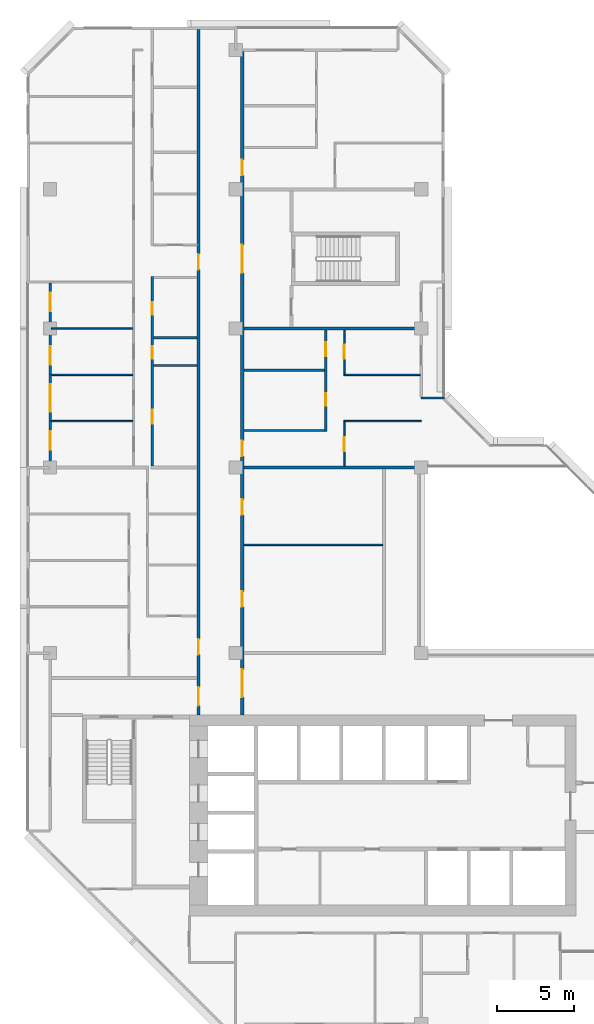
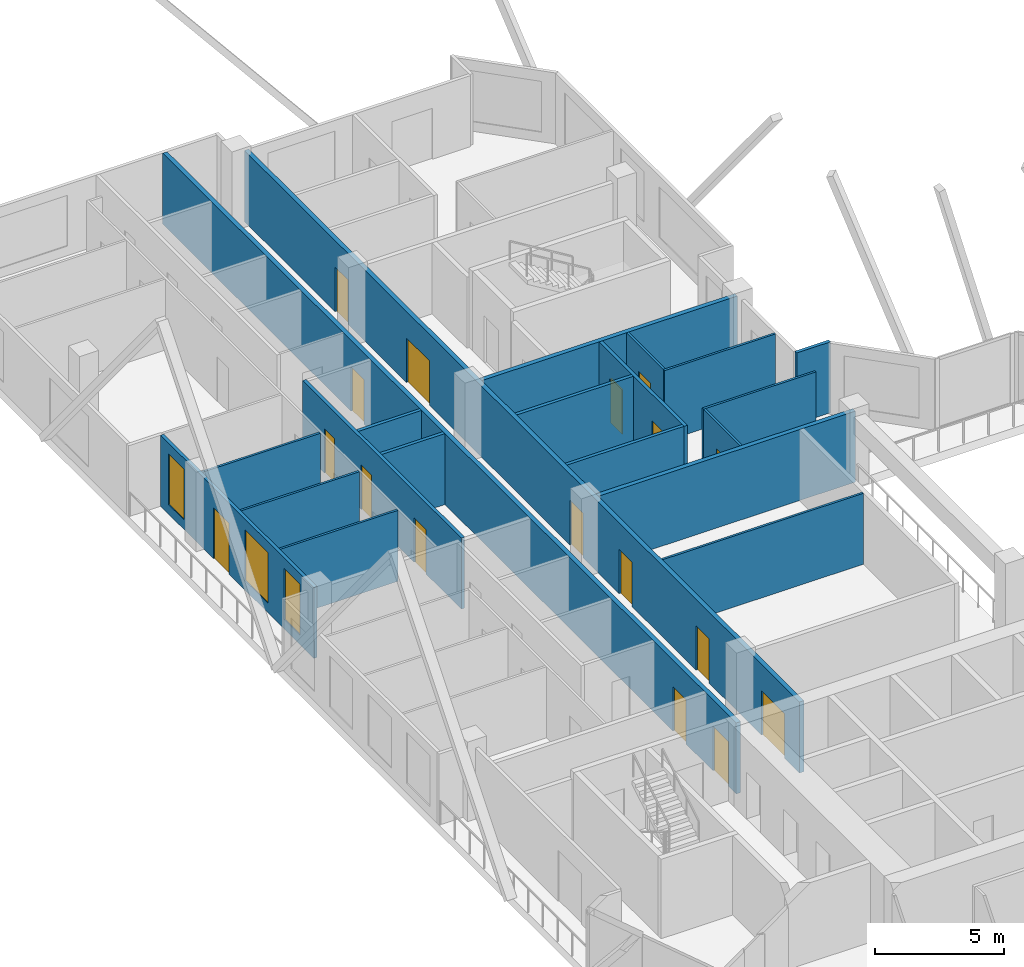
# One storey, part 9 of 15: 20 walls, 17 doors, 3 windows, 20 openings.
"""IFC4 building model written with IfcOpenShell, lengths in metres."""

from ifc_helpers import new_model, si_unit, direction, frame, frame_2d, origin, place, context, subcontext, project, spatial, rectangle, extrude, material, layer, layer_set, type_object, element, fill, save


model = new_model("IFC4")

# Units and contexts
model_context = context("Model", 3, precision=1e-05, world=origin(), true_north=direction((0.0, 1.0)))
body_context = subcontext(model_context, "Body", "Model", "MODEL_VIEW")
ifc_project = project(units=[si_unit("LENGTHUNIT", "METRE"), si_unit("AREAUNIT", "SQUARE_METRE"), si_unit("VOLUMEUNIT", "CUBIC_METRE"), si_unit("PLANEANGLEUNIT", "RADIAN"), si_unit("MASSUNIT", "GRAM", prefix="KILO")], contexts=[model_context])

# Site, building, storey
site_placement = place(None, origin())
site = spatial("IfcSite", under=ifc_project, at=site_placement, CompositionType="ELEMENT")
building_placement = place(site_placement, origin())
building = spatial("IfcBuilding", under=site, at=building_placement, Name="Chenar Terraces", CompositionType="ELEMENT")
storey_placement = place(building_placement, frame((0.0, 0.0, 245.39990234375)))
storey = spatial("IfcBuildingStorey", under=building, at=storey_placement, Name="L58", CompositionType="ELEMENT", Elevation=245.39990234375)

# Wall, openings, doors
ifc_material_1 = material(Name="Gypsum board on steel studs with fire boards", Category="steel")
ifc_layer_1 = layer(ifc_material_1, 0.199951171875)
ifc_layer_set_1 = layer_set([ifc_layer_1], Name="Gypsum board on steel studs with fire boards")
wall_type_1 = type_object("IfcWallType", Name="Corridor wall 200", PredefinedType="PARTITIONING", material=ifc_layer_set_1)
wall_1_placement = place(storey_placement, frame((9.60009765625, 20.0, 0.0), z_axis=(0.0, 0.0, 1.0), x_axis=(0.0, 1.0, 0.0)))
wall_1 = element("IfcWall", 1, at=wall_1_placement, inside=storey, type_object=wall_type_1, Name="Partition L58-033", PredefinedType="PARTITIONING", context=body_context, shape_type="SweptSolid", body=[
    extrude(rectangle(XDim=44.35009765625, YDim=0.199951171875, at=frame_2d((22.175048828125, 0.0))), origin(), (0.0, 0.0, 1.0), 3.35009765625),
])
opening_1_placement = place(wall_1_placement, frame((28.800048828125, 0.0, 0.0)))
opening_1 = element("IfcOpeningElement", 2, at=opening_1_placement, cuts=wall_1, Name="Opening DL58-33", PredefinedType="OPENING", context=body_context, shape_type="SweptSolid", body=[
    extrude(rectangle(XDim=1.0, YDim=2.10009765625, at=frame_2d((0.5, 1.050048828125))), frame((0.0, 0.10986328125, 0.0), z_axis=(0.0, -1.0, 0.0), x_axis=(1.0, 0.0, 0.0)), (0.0, 0.0, 1.0), 0.219970703125),
])
opening_2_placement = place(wall_1_placement, frame((0.60009765625, 0.0, 0.0)))
opening_2 = element("IfcOpeningElement", 3, at=opening_2_placement, cuts=wall_1, Name="Opening DL58-43", PredefinedType="OPENING", context=body_context, shape_type="SweptSolid", body=[
    extrude(rectangle(XDim=1.199951171875, YDim=2.10009765625, at=frame_2d((0.60009765625, 1.050048828125))), frame((0.0, 0.10986328125, 0.0), z_axis=(0.0, -1.0, 0.0), x_axis=(1.0, 0.0, 0.0)), (0.0, 0.0, 1.0), 0.219970703125),
])
opening_3_placement = place(wall_1_placement, frame((3.89990234375, 0.0, 0.0)))
opening_3 = element("IfcOpeningElement", 4, at=opening_3_placement, cuts=wall_1, Name="Opening DL58-65", PredefinedType="OPENING", context=body_context, shape_type="SweptSolid", body=[
    extrude(rectangle(XDim=1.0, YDim=2.10009765625, at=frame_2d((0.5, 1.050048828125))), frame((0.0, 0.10986328125, 0.0), z_axis=(0.0, -1.0, 0.0), x_axis=(1.0, 0.0, 0.0)), (0.0, 0.0, 1.0), 0.219970703125),
])
ifc_material_2 = material(Name="Steel-framed fire-resisting door leaf", Category="steel")
door_type_1 = type_object("IfcDoorType", Name="Fire door FD30S 1000 x 2100", OperationType="SINGLE_SWING_LEFT", PredefinedType="DOOR", material=ifc_material_2)
door_1_placement = place(opening_1_placement, origin())
door_1 = element("IfcDoor", 5, at=door_1_placement, inside=storey, type_object=door_type_1, Name="Door DL58-33", OperationType="SINGLE_SWING_LEFT", OverallHeight=2.10009765625, OverallWidth=1.0, PredefinedType="DOOR", context=body_context, shape_type="SweptSolid", body=[
    extrude(rectangle(XDim=1.0, YDim=2.10009765625, at=frame_2d((0.5, 1.050048828125))), frame((0.0, 0.02490234375, 0.0), z_axis=(0.0, -1.0, 0.0), x_axis=(1.0, 0.0, 0.0)), (0.0, 0.0, 1.0), 0.050048828125),
])
fill(opening_1, door_1)
door_2_placement = place(opening_3_placement, origin())
door_2 = element("IfcDoor", 6, at=door_2_placement, inside=storey, type_object=door_type_1, Name="Door DL58-65", OperationType="SINGLE_SWING_LEFT", OverallHeight=2.10009765625, OverallWidth=1.0, PredefinedType="DOOR", context=body_context, shape_type="SweptSolid", body=[
    extrude(rectangle(XDim=1.0, YDim=2.10009765625, at=frame_2d((0.5, 1.050048828125))), frame((0.0, 0.02490234375, 0.0), z_axis=(0.0, -1.0, 0.0), x_axis=(1.0, 0.0, 0.0)), (0.0, 0.0, 1.0), 0.050048828125),
])
fill(opening_3, door_2)
ifc_material_3 = material(Name="Steel-framed fire-resisting door leaf", Category="steel")
door_type_2 = type_object("IfcDoorType", Name="Fire door FD30S 1200 x 2100", OperationType="SINGLE_SWING_LEFT", PredefinedType="DOOR", material=ifc_material_3)
door_3_placement = place(opening_2_placement, origin())
door_3 = element("IfcDoor", 7, at=door_3_placement, inside=storey, type_object=door_type_2, Name="Door DL58-43", OperationType="SINGLE_SWING_RIGHT", OverallHeight=2.10009765625, OverallWidth=1.199951171875, PredefinedType="DOOR", context=body_context, shape_type="SweptSolid", body=[
    extrude(rectangle(XDim=1.199951171875, YDim=2.10009765625, at=frame_2d((0.60009765625, 1.050048828125))), frame((0.0, 0.02490234375, 0.0), z_axis=(0.0, -1.0, 0.0), x_axis=(1.0, 0.0, 0.0)), (0.0, 0.0, 1.0), 0.050048828125),
])
fill(opening_2, door_3)

wall_2_placement = place(storey_placement, frame((12.425048828125, 20.0, 0.0), z_axis=(0.0, 0.0, 1.0), x_axis=(0.0, 1.0, 0.0)))
wall_2 = element("IfcWall", 8, at=wall_2_placement, inside=storey, type_object=wall_type_1, Name="Partition L58-036", PredefinedType="PARTITIONING", context=body_context, shape_type="SweptSolid", body=[
    extrude(rectangle(XDim=42.926025390625, YDim=0.199951171875, at=frame_2d((21.462890625, 0.0))), origin(), (0.0, 0.0, 1.0), 3.35009765625),
])
opening_4_placement = place(wall_2_placement, frame((7.0, 0.0, 0.0)))
opening_4 = element("IfcOpeningElement", 9, at=opening_4_placement, cuts=wall_2, Name="Opening DL58-1", PredefinedType="OPENING", context=body_context, shape_type="SweptSolid", body=[
    extrude(rectangle(XDim=1.0, YDim=2.10009765625, at=frame_2d((0.5, 1.050048828125))), frame((0.0, 0.10986328125, 0.0), z_axis=(0.0, -1.0, 0.0), x_axis=(1.0, 0.0, 0.0)), (0.0, 0.0, 1.0), 0.219970703125),
])
opening_5_placement = place(wall_2_placement, frame((12.949951171875, 0.0, 0.0)))
opening_5 = element("IfcOpeningElement", 10, at=opening_5_placement, cuts=wall_2, Name="Opening DL58-2", PredefinedType="OPENING", context=body_context, shape_type="SweptSolid", body=[
    extrude(rectangle(XDim=1.0, YDim=2.10009765625, at=frame_2d((0.5, 1.050048828125))), frame((0.0, 0.10986328125, 0.0), z_axis=(0.0, -1.0, 0.0), x_axis=(1.0, 0.0, 0.0)), (0.0, 0.0, 1.0), 0.219970703125),
])
opening_6_placement = place(wall_2_placement, frame((16.75, 0.0, 0.0)))
opening_6 = element("IfcOpeningElement", 11, at=opening_6_placement, cuts=wall_2, Name="Opening DL58-21", PredefinedType="OPENING", context=body_context, shape_type="SweptSolid", body=[
    extrude(rectangle(XDim=1.0, YDim=2.10009765625, at=frame_2d((0.5, 1.050048828125))), frame((0.0, 0.10986328125, 0.0), z_axis=(0.0, -1.0, 0.0), x_axis=(1.0, 0.0, 0.0)), (0.0, 0.0, 1.0), 0.219970703125),
])
opening_7_placement = place(wall_2_placement, frame((34.89990234375, 0.0, 0.0)))
opening_7 = element("IfcOpeningElement", 12, at=opening_7_placement, cuts=wall_2, Name="Opening DL58-25", PredefinedType="OPENING", context=body_context, shape_type="SweptSolid", body=[
    extrude(rectangle(XDim=1.0, YDim=2.10009765625, at=frame_2d((0.5, 1.050048828125))), frame((0.0, 0.10986328125, 0.0), z_axis=(0.0, -1.0, 0.0), x_axis=(1.0, 0.0, 0.0)), (0.0, 0.0, 1.0), 0.219970703125),
])
opening_8_placement = place(wall_2_placement, frame((1.14990234375, 0.0, 0.0)))
opening_8 = element("IfcOpeningElement", 13, at=opening_8_placement, cuts=wall_2, Name="Opening DL58-42", PredefinedType="OPENING", context=body_context, shape_type="SweptSolid", body=[
    extrude(rectangle(XDim=1.800048828125, YDim=2.10009765625, at=frame_2d((0.89990234375, 1.050048828125))), frame((0.0, 0.10986328125, 0.0), z_axis=(0.0, -1.0, 0.0), x_axis=(1.0, 0.0, 0.0)), (0.0, 0.0, 1.0), 0.219970703125),
])
opening_9_placement = place(wall_2_placement, frame((28.60009765625, 0.0, 0.0)))
opening_9 = element("IfcOpeningElement", 14, at=opening_9_placement, cuts=wall_2, Name="Opening DL58-44", PredefinedType="OPENING", context=body_context, shape_type="SweptSolid", body=[
    extrude(rectangle(XDim=1.800048828125, YDim=2.10009765625, at=frame_2d((0.89990234375, 1.050048828125))), frame((0.0, 0.10986328125, 0.0), z_axis=(0.0, -1.0, 0.0), x_axis=(1.0, 0.0, 0.0)), (0.0, 0.0, 1.0), 0.219970703125),
])
ifc_material_4 = material(Name="Steel-framed fire-resisting door leaf", Category="steel")
door_type_3 = type_object("IfcDoorType", Name="Fire door FD60 1000 x 2100", OperationType="SINGLE_SWING_LEFT", PredefinedType="DOOR", material=ifc_material_4)
door_4_placement = place(opening_4_placement, frame((1.0, 0.0, 0.0), z_axis=(0.0, 0.0, 1.0), x_axis=(-1.0, 0.0, 0.0)))
door_4 = element("IfcDoor", 15, at=door_4_placement, inside=storey, type_object=door_type_3, Name="Door DL58-1", OperationType="SINGLE_SWING_LEFT", OverallHeight=2.10009765625, OverallWidth=1.0, PredefinedType="DOOR", context=body_context, shape_type="SweptSolid", body=[
    extrude(rectangle(XDim=1.0, YDim=2.10009765625, at=frame_2d((0.5, 1.050048828125))), frame((0.0, 0.02490234375, 0.0), z_axis=(0.0, -1.0, 0.0), x_axis=(1.0, 0.0, 0.0)), (0.0, 0.0, 1.0), 0.050048828125),
])
fill(opening_4, door_4)
door_5_placement = place(opening_5_placement, frame((1.0, 0.0, 0.0), z_axis=(0.0, 0.0, 1.0), x_axis=(-1.0, 0.0, 0.0)))
door_5 = element("IfcDoor", 16, at=door_5_placement, inside=storey, type_object=door_type_3, Name="Door DL58-2", OperationType="SINGLE_SWING_LEFT", OverallHeight=2.10009765625, OverallWidth=1.0, PredefinedType="DOOR", context=body_context, shape_type="SweptSolid", body=[
    extrude(rectangle(XDim=1.0, YDim=2.10009765625, at=frame_2d((0.5, 1.050048828125))), frame((0.0, 0.02490234375, 0.0), z_axis=(0.0, -1.0, 0.0), x_axis=(1.0, 0.0, 0.0)), (0.0, 0.0, 1.0), 0.050048828125),
])
fill(opening_5, door_5)
door_6_placement = place(opening_6_placement, frame((1.0, 0.0, 0.0), z_axis=(0.0, 0.0, 1.0), x_axis=(-1.0, 0.0, 0.0)))
door_6 = element("IfcDoor", 17, at=door_6_placement, inside=storey, type_object=door_type_3, Name="Door DL58-21", OperationType="SINGLE_SWING_LEFT", OverallHeight=2.10009765625, OverallWidth=1.0, PredefinedType="DOOR", context=body_context, shape_type="SweptSolid", body=[
    extrude(rectangle(XDim=1.0, YDim=2.10009765625, at=frame_2d((0.5, 1.050048828125))), frame((0.0, 0.02490234375, 0.0), z_axis=(0.0, -1.0, 0.0), x_axis=(1.0, 0.0, 0.0)), (0.0, 0.0, 1.0), 0.050048828125),
])
fill(opening_6, door_6)
door_7_placement = place(opening_7_placement, frame((1.0, 0.0, 0.0), z_axis=(0.0, 0.0, 1.0), x_axis=(-1.0, 0.0, 0.0)))
door_7 = element("IfcDoor", 18, at=door_7_placement, inside=storey, type_object=door_type_3, Name="Door DL58-25", OperationType="SINGLE_SWING_LEFT", OverallHeight=2.10009765625, OverallWidth=1.0, PredefinedType="DOOR", context=body_context, shape_type="SweptSolid", body=[
    extrude(rectangle(XDim=1.0, YDim=2.10009765625, at=frame_2d((0.5, 1.050048828125))), frame((0.0, 0.02490234375, 0.0), z_axis=(0.0, -1.0, 0.0), x_axis=(1.0, 0.0, 0.0)), (0.0, 0.0, 1.0), 0.050048828125),
])
fill(opening_7, door_7)
ifc_material_5 = material(Name="Steel-framed fire-resisting door leaf", Category="steel")
door_type_4 = type_object("IfcDoorType", Name="Fire double door FD60 1800 x 2100", OperationType="DOUBLE_DOOR_SINGLE_SWING", PredefinedType="DOOR", material=ifc_material_5)
door_8_placement = place(opening_8_placement, frame((1.800048828125, 0.0, 0.0), z_axis=(0.0, 0.0, 1.0), x_axis=(-1.0, 0.0, 0.0)))
door_8 = element("IfcDoor", 19, at=door_8_placement, inside=storey, type_object=door_type_4, Name="Door DL58-42", OperationType="DOUBLE_DOOR_SINGLE_SWING", OverallHeight=2.10009765625, OverallWidth=1.800048828125, PredefinedType="DOOR", context=body_context, shape_type="SweptSolid", body=[
    extrude(rectangle(XDim=1.800048828125, YDim=2.10009765625, at=frame_2d((0.89990234375, 1.050048828125))), frame((0.0, 0.02490234375, 0.0), z_axis=(0.0, -1.0, 0.0), x_axis=(1.0, 0.0, 0.0)), (0.0, 0.0, 1.0), 0.050048828125),
])
fill(opening_8, door_8)
door_9_placement = place(opening_9_placement, frame((1.800048828125, 0.0, 0.0), z_axis=(0.0, 0.0, 1.0), x_axis=(-1.0, 0.0, 0.0)))
door_9 = element("IfcDoor", 20, at=door_9_placement, inside=storey, type_object=door_type_4, Name="Door DL58-44", OperationType="DOUBLE_DOOR_SINGLE_SWING", OverallHeight=2.10009765625, OverallWidth=1.800048828125, PredefinedType="DOOR", context=body_context, shape_type="SweptSolid", body=[
    extrude(rectangle(XDim=1.800048828125, YDim=2.10009765625, at=frame_2d((0.89990234375, 1.050048828125))), frame((0.0, 0.02490234375, 0.0), z_axis=(0.0, -1.0, 0.0), x_axis=(1.0, 0.0, 0.0)), (0.0, 0.0, 1.0), 0.050048828125),
])
fill(opening_9, door_9)

# Wall, openings, windows, door
ifc_material_6 = material(Name="Aluminium framed glazing", Category="aluminium")
ifc_layer_2 = layer(ifc_material_6, 0.14990234375)
ifc_layer_set_2 = layer_set([ifc_layer_2], Name="Aluminium framed glazing")
wall_type_2 = type_object("IfcWallType", Name="Glazed loggia back wall 150", PredefinedType="SOLIDWALL", material=ifc_layer_set_2)
wall_3_placement = place(storey_placement, frame((0.0, 47.925048828125, 0.0), z_axis=(0.0, 0.0, 1.0), x_axis=(0.0, -1.0, 0.0)))
wall_3 = element("IfcWall", 21, at=wall_3_placement, inside=storey, type_object=wall_type_2, Name="Glazed loggia back wall", PredefinedType="SOLIDWALL", context=body_context, shape_type="SweptSolid", body=[
    extrude(rectangle(XDim=11.85009765625, YDim=0.14990234375, at=frame_2d((5.925048828125, 0.0))), origin(), (0.0, 0.0, 1.0), 3.35009765625),
])
opening_10_placement = place(wall_3_placement, frame((0.60009765625, 0.0, 0.449951171875)))
opening_10 = element("IfcOpeningElement", 22, at=opening_10_placement, cuts=wall_3, Name="Opening W120x240", PredefinedType="OPENING", context=body_context, shape_type="SweptSolid", body=[
    extrude(rectangle(XDim=1.199951171875, YDim=2.39990234375, at=frame_2d((0.60009765625, 1.199951171875))), frame((0.0, 0.0849609375, 0.0), z_axis=(0.0, -1.0, 0.0), x_axis=(1.0, 0.0, 0.0)), (0.0, 0.0, 1.0), 0.169921875),
])
opening_11_placement = place(wall_3_placement, frame((4.08740234375, 0.0, 0.0)))
opening_11 = element("IfcOpeningElement", 23, at=opening_11_placement, cuts=wall_3, Name="Opening DL58-G3", PredefinedType="OPENING", context=body_context, shape_type="SweptSolid", body=[
    extrude(rectangle(XDim=1.199951171875, YDim=2.39990234375, at=frame_2d((0.60009765625, 1.199951171875))), frame((0.0, 0.0849609375, 0.0), z_axis=(0.0, -1.0, 0.0), x_axis=(1.0, 0.0, 0.0)), (0.0, 0.0, 1.0), 0.169921875),
])
opening_12_placement = place(wall_3_placement, frame((6.52490234375, 0.0, 0.449951171875)))
opening_12 = element("IfcOpeningElement", 24, at=opening_12_placement, cuts=wall_3, Name="Opening W180x240", PredefinedType="OPENING", context=body_context, shape_type="SweptSolid", body=[
    extrude(rectangle(XDim=1.800048828125, YDim=2.39990234375, at=frame_2d((0.89990234375, 1.199951171875))), frame((0.0, 0.0849609375, 0.0), z_axis=(0.0, -1.0, 0.0), x_axis=(1.0, 0.0, 0.0)), (0.0, 0.0, 1.0), 0.169921875),
])
opening_13_placement = place(wall_3_placement, frame((9.5625, 0.0, 0.449951171875)))
opening_13 = element("IfcOpeningElement", 25, at=opening_13_placement, cuts=wall_3, Name="Opening W120x240", PredefinedType="OPENING", context=body_context, shape_type="SweptSolid", body=[
    extrude(rectangle(XDim=1.199951171875, YDim=2.39990234375, at=frame_2d((0.60009765625, 1.199951171875))), frame((0.0, 0.0849609375, 0.0), z_axis=(0.0, -1.0, 0.0), x_axis=(1.0, 0.0, 0.0)), (0.0, 0.0, 1.0), 0.169921875),
])
ifc_material_7 = material(Name="Low emissivity double glazing, aluminium frame", Category="aluminium")
window_type_1 = type_object("IfcWindowType", Name="Fixed light 1200 x 2400", PartitioningType="SINGLE_PANEL", PredefinedType="WINDOW", material=ifc_material_7)
window_1_placement = place(opening_10_placement, origin())
window_1 = element("IfcWindow", 26, at=window_1_placement, inside=storey, type_object=window_type_1, Name="Window", OverallHeight=2.39990234375, OverallWidth=1.199951171875, PartitioningType="SINGLE_PANEL", PredefinedType="WINDOW", context=body_context, shape_type="SweptSolid", body=[
    extrude(rectangle(XDim=1.199951171875, YDim=2.39990234375, at=frame_2d((0.60009765625, 1.199951171875))), frame((0.0, 0.030029296875, 0.0), z_axis=(0.0, -1.0, 0.0), x_axis=(1.0, 0.0, 0.0)), (0.0, 0.0, 1.0), 0.06005859375),
])
fill(opening_10, window_1)
window_2_placement = place(opening_13_placement, origin())
window_2 = element("IfcWindow", 27, at=window_2_placement, inside=storey, type_object=window_type_1, Name="Window", OverallHeight=2.39990234375, OverallWidth=1.199951171875, PartitioningType="SINGLE_PANEL", PredefinedType="WINDOW", context=body_context, shape_type="SweptSolid", body=[
    extrude(rectangle(XDim=1.199951171875, YDim=2.39990234375, at=frame_2d((0.60009765625, 1.199951171875))), frame((0.0, 0.030029296875, 0.0), z_axis=(0.0, -1.0, 0.0), x_axis=(1.0, 0.0, 0.0)), (0.0, 0.0, 1.0), 0.06005859375),
])
fill(opening_13, window_2)
ifc_material_8 = material(Name="Low emissivity double glazing, aluminium frame", Category="aluminium")
window_type_2 = type_object("IfcWindowType", Name="Fixed light 1800 x 2400", PartitioningType="SINGLE_PANEL", PredefinedType="WINDOW", material=ifc_material_8)
window_3_placement = place(opening_12_placement, origin())
window_3 = element("IfcWindow", 28, at=window_3_placement, inside=storey, type_object=window_type_2, Name="Window", OverallHeight=2.39990234375, OverallWidth=1.800048828125, PartitioningType="SINGLE_PANEL", PredefinedType="WINDOW", context=body_context, shape_type="SweptSolid", body=[
    extrude(rectangle(XDim=1.800048828125, YDim=2.39990234375, at=frame_2d((0.89990234375, 1.199951171875))), frame((0.0, 0.030029296875, 0.0), z_axis=(0.0, -1.0, 0.0), x_axis=(1.0, 0.0, 0.0)), (0.0, 0.0, 1.0), 0.06005859375),
])
fill(opening_12, window_3)
ifc_material_9 = material(Name="Low emissivity double glazing, aluminium frame", Category="aluminium")
door_type_5 = type_object("IfcDoorType", Name="Loggia glazed double door 1200 x 2400", OperationType="DOUBLE_DOOR_SINGLE_SWING", PredefinedType="DOOR", material=ifc_material_9)
door_10_placement = place(opening_11_placement, frame((1.199951171875, 0.0, 0.0), z_axis=(0.0, 0.0, 1.0), x_axis=(-1.0, 0.0, 0.0)))
door_10 = element("IfcDoor", 29, at=door_10_placement, inside=storey, type_object=door_type_5, Name="Loggia glazed door", OperationType="DOUBLE_DOOR_SINGLE_SWING", OverallHeight=2.39990234375, OverallWidth=1.199951171875, PredefinedType="DOOR", context=body_context, shape_type="SweptSolid", body=[
    extrude(rectangle(XDim=1.199951171875, YDim=2.39990234375, at=frame_2d((0.60009765625, 1.199951171875))), frame((0.0, 0.02490234375, 0.0), z_axis=(0.0, -1.0, 0.0), x_axis=(1.0, 0.0, 0.0)), (0.0, 0.0, 1.0), 0.050048828125),
])
fill(opening_11, door_10)

# Walls
ifc_material_10 = material(Name="Gypsum board on steel studs", Category="steel")
ifc_layer_3 = layer(ifc_material_10, 0.10009765625)
ifc_layer_set_3 = layer_set([ifc_layer_3], Name="Gypsum board on steel studs")
wall_type_3 = type_object("IfcWallType", Name="Gypsum partition 100", PredefinedType="PARTITIONING", material=ifc_layer_set_3)
for number, where, z_axis, x_axis, name in (
    (30, (0.073974609375, 39.0, 0.0), (0.0, 0.0, 1.0), (1.0, 0.0, 0.0), "Partition L58-010"),
    (31, (0.073974609375, 42.0, 0.0), (0.0, 0.0, 1.0), (1.0, 0.0, 0.0), "Partition L58-011"),
    (32, (0.073974609375, 45.0, 0.0), (0.0, 0.0, 1.0), (1.0, 0.0, 0.0), "Partition L58-012"),
):
    element("IfcWall", number, at=place(storey_placement, frame(where, z_axis=z_axis, x_axis=x_axis)), inside=storey, type_object=wall_type_3, Name=name, PredefinedType="PARTITIONING", context=body_context, shape_type="SweptSolid", body=[
        extrude(rectangle(XDim=5.276123046875, YDim=0.10009765625, at=frame_2d((2.63818359375, 0.0))), origin(), (0.0, 0.0, 1.0), 3.35009765625),
    ])
wall_4_placement = place(storey_placement, frame((12.52490234375, 31.0, 0.0), z_axis=(0.0, 0.0, 1.0), x_axis=(1.0, 0.0, 0.0)))
element("IfcWall", 33, at=wall_4_placement, inside=storey, type_object=wall_type_3, Name="Partition L58-038", PredefinedType="PARTITIONING", context=body_context, shape_type="SweptSolid", body=[
    extrude(rectangle(XDim=8.97509765625, YDim=0.10009765625, at=frame_2d((4.487548828125, 0.0))), origin(), (0.0, 0.0, 1.0), 3.35009765625),
])
wall_5_placement = place(storey_placement, frame((18.97509765625, 39.0, 0.0), z_axis=(0.0, 0.0, 1.0), x_axis=(1.0, 0.0, 0.0)))
element("IfcWall", 34, at=wall_5_placement, inside=storey, type_object=wall_type_3, Name="Partition L58-052", PredefinedType="PARTITIONING", context=body_context, shape_type="SweptSolid", body=[
    extrude(rectangle(XDim=5.02490234375, YDim=0.10009765625, at=frame_2d((2.512451171875, 0.0))), origin(), (0.0, 0.0, 1.0), 3.35009765625),
])
wall_6_placement = place(storey_placement, frame((18.97509765625, 42.0, 0.0), z_axis=(0.0, 0.0, 1.0), x_axis=(1.0, 0.0, 0.0)))
element("IfcWall", 35, at=wall_6_placement, inside=storey, type_object=wall_type_3, Name="Partition L58-053", PredefinedType="PARTITIONING", context=body_context, shape_type="SweptSolid", body=[
    extrude(rectangle(XDim=4.950927734375, YDim=0.10009765625, at=frame_2d((2.4755859375, 0.0))), origin(), (0.0, 0.0, 1.0), 3.35009765625),
])

# Wall, opening, door
wall_7_placement = place(storey_placement, frame((19.02490234375, 36.10009765625, 0.0), z_axis=(0.0, 0.0, 1.0), x_axis=(0.0, 1.0, 0.0)))
wall_7 = element("IfcWall", 36, at=wall_7_placement, inside=storey, type_object=wall_type_3, Name="Partition L58-054", PredefinedType="PARTITIONING", context=body_context, shape_type="SweptSolid", body=[
    extrude(rectangle(XDim=2.849853515625, YDim=0.10009765625, at=frame_2d((1.4248046875, 0.0))), origin(), (0.0, 0.0, 1.0), 3.35009765625),
])
opening_14_placement = place(wall_7_placement, frame((0.949951171875, 0.0, 0.0)))
opening_14 = element("IfcOpeningElement", 37, at=opening_14_placement, cuts=wall_7, Name="Opening DL58-18", PredefinedType="OPENING", context=body_context, shape_type="SweptSolid", body=[
    extrude(rectangle(XDim=0.89990234375, YDim=2.10009765625, at=frame_2d((0.449951171875, 1.050048828125))), frame((0.0, 0.06005859375, 0.0), z_axis=(0.0, -1.0, 0.0), x_axis=(1.0, 0.0, 0.0)), (0.0, 0.0, 1.0), 0.1201171875),
])
ifc_material_11 = material(Name="Veneered timber door leaf", Category="wood")
door_type_6 = type_object("IfcDoorType", Name="Door 900 x 2100", OperationType="SINGLE_SWING_LEFT", PredefinedType="DOOR", material=ifc_material_11)
door_11_placement = place(opening_14_placement, frame((0.89990234375, 0.0, 0.0), z_axis=(0.0, 0.0, 1.0), x_axis=(-1.0, 0.0, 0.0)))
door_11 = element("IfcDoor", 38, at=door_11_placement, inside=storey, type_object=door_type_6, Name="Door DL58-18", OperationType="SINGLE_SWING_LEFT", OverallHeight=2.10009765625, OverallWidth=0.89990234375, PredefinedType="DOOR", context=body_context, shape_type="SweptSolid", body=[
    extrude(rectangle(XDim=0.89990234375, YDim=2.10009765625, at=frame_2d((0.449951171875, 1.050048828125))), frame((0.0, 0.02490234375, 0.0), z_axis=(0.0, -1.0, 0.0), x_axis=(1.0, 0.0, 0.0)), (0.0, 0.0, 1.0), 0.050048828125),
])
fill(opening_14, door_11)

wall_8_placement = place(storey_placement, frame((19.02490234375, 42.050048828125, 0.0), z_axis=(0.0, 0.0, 1.0), x_axis=(0.0, 1.0, 0.0)))
wall_8 = element("IfcWall", 39, at=wall_8_placement, inside=storey, type_object=wall_type_3, Name="Partition L58-055", PredefinedType="PARTITIONING", context=body_context, shape_type="SweptSolid", body=[
    extrude(rectangle(XDim=2.849853515625, YDim=0.10009765625, at=frame_2d((1.4248046875, 0.0))), origin(), (0.0, 0.0, 1.0), 3.35009765625),
])
opening_15_placement = place(wall_8_placement, frame((1.0, 0.0, 0.0)))
opening_15 = element("IfcOpeningElement", 40, at=opening_15_placement, cuts=wall_8, Name="Opening DL58-19", PredefinedType="OPENING", context=body_context, shape_type="SweptSolid", body=[
    extrude(rectangle(XDim=0.89990234375, YDim=2.10009765625, at=frame_2d((0.449951171875, 1.050048828125))), frame((0.0, 0.06005859375, 0.0), z_axis=(0.0, -1.0, 0.0), x_axis=(1.0, 0.0, 0.0)), (0.0, 0.0, 1.0), 0.1201171875),
])
door_12_placement = place(opening_15_placement, frame((0.89990234375, 0.0, 0.0), z_axis=(0.0, 0.0, 1.0), x_axis=(-1.0, 0.0, 0.0)))
door_12 = element("IfcDoor", 41, at=door_12_placement, inside=storey, type_object=door_type_6, Name="Door DL58-19", OperationType="SINGLE_SWING_LEFT", OverallHeight=2.10009765625, OverallWidth=0.89990234375, PredefinedType="DOOR", context=body_context, shape_type="SweptSolid", body=[
    extrude(rectangle(XDim=0.89990234375, YDim=2.10009765625, at=frame_2d((0.449951171875, 1.050048828125))), frame((0.0, 0.02490234375, 0.0), z_axis=(0.0, -1.0, 0.0), x_axis=(1.0, 0.0, 0.0)), (0.0, 0.0, 1.0), 0.050048828125),
])
fill(opening_15, door_12)

# Walls
ifc_material_12 = material(Name="Terracotta cladding on insulated backing", Category="masonry")
ifc_layer_4 = layer(ifc_material_12, 0.14990234375)
ifc_layer_set_4 = layer_set([ifc_layer_4], Name="Terracotta cladding on insulated backing")
wall_type_4 = type_object("IfcWallType", Name="Loggia return wall 150", PredefinedType="SOLIDWALL", material=ifc_layer_set_4)
wall_9_placement = place(storey_placement, frame((25.5, 40.5, 0.0), z_axis=(0.0, 0.0, 1.0), x_axis=(-1.0, 0.0, 0.0)))
element("IfcWall", 42, at=wall_9_placement, inside=storey, type_object=wall_type_4, Name="Loggia return wall", PredefinedType="SOLIDWALL", context=body_context, shape_type="SweptSolid", body=[
    extrude(rectangle(XDim=1.5, YDim=0.14990234375, at=frame_2d((0.75, 0.0))), origin(), (0.0, 0.0, 1.0), 3.35009765625),
])
ifc_material_13 = material(Name="Twin gypsum board on steel studs with mineral wool", Category="steel")
ifc_layer_5 = layer(ifc_material_13, 0.199951171875)
ifc_layer_set_5 = layer_set([ifc_layer_5], Name="Twin gypsum board on steel studs with mineral wool")
wall_type_5 = type_object("IfcWallType", Name="Unit demising wall 200", PredefinedType="PARTITIONING", material=ifc_layer_set_5)
wall_10_placement = place(storey_placement, frame((12.52490234375, 36.0, 0.0), z_axis=(0.0, 0.0, 1.0), x_axis=(1.0, 0.0, 0.0)))
element("IfcWall", 43, at=wall_10_placement, inside=storey, type_object=wall_type_5, Name="Partition L58-039", PredefinedType="PARTITIONING", context=body_context, shape_type="SweptSolid", body=[
    extrude(rectangle(XDim=11.47509765625, YDim=0.199951171875, at=frame_2d((5.737548828125, 0.0))), origin(), (0.0, 0.0, 1.0), 3.35009765625),
])
wall_11_placement = place(storey_placement, frame((12.52490234375, 45.0, 0.0), z_axis=(0.0, 0.0, 1.0), x_axis=(1.0, 0.0, 0.0)))
element("IfcWall", 44, at=wall_11_placement, inside=storey, type_object=wall_type_5, Name="Partition L58-042", PredefinedType="PARTITIONING", context=body_context, shape_type="SweptSolid", body=[
    extrude(rectangle(XDim=11.401123046875, YDim=0.199951171875, at=frame_2d((5.70068359375, 0.0))), origin(), (0.0, 0.0, 1.0), 3.35009765625),
])

# Wall, openings, doors
ifc_material_14 = material(Name="Moisture-resistant gypsum board on steel studs", Category="steel")
ifc_layer_6 = layer(ifc_material_14, 0.14990234375)
ifc_layer_set_6 = layer_set([ifc_layer_6], Name="Moisture-resistant gypsum board on steel studs")
wall_type_6 = type_object("IfcWallType", Name="Wet-room partition 150", PredefinedType="PARTITIONING", material=ifc_layer_set_6)
wall_12_placement = place(storey_placement, frame((6.60009765625, 36.10009765625, 0.0), z_axis=(0.0, 0.0, 1.0), x_axis=(0.0, 1.0, 0.0)))
wall_12 = element("IfcWall", 45, at=wall_12_placement, inside=storey, type_object=wall_type_6, Name="Partition L58-022", PredefinedType="PARTITIONING", context=body_context, shape_type="SweptSolid", body=[
    extrude(rectangle(XDim=12.27490234375, YDim=0.14990234375, at=frame_2d((6.137451171875, 0.0))), origin(), (0.0, 0.0, 1.0), 3.35009765625),
])
opening_16_placement = place(wall_12_placement, frame((6.949951171875, 0.0, 0.0)))
opening_16 = element("IfcOpeningElement", 46, at=opening_16_placement, cuts=wall_12, Name="Opening DL58-26", PredefinedType="OPENING", context=body_context, shape_type="SweptSolid", body=[
    extrude(rectangle(XDim=0.800048828125, YDim=2.10009765625, at=frame_2d((0.39990234375, 1.050048828125))), frame((0.0, 0.0849609375, 0.0), z_axis=(0.0, -1.0, 0.0), x_axis=(1.0, 0.0, 0.0)), (0.0, 0.0, 1.0), 0.169921875),
])
opening_17_placement = place(wall_12_placement, frame((2.75, 0.0, 0.0)))
opening_17 = element("IfcOpeningElement", 47, at=opening_17_placement, cuts=wall_12, Name="Opening DL58-34", PredefinedType="OPENING", context=body_context, shape_type="SweptSolid", body=[
    extrude(rectangle(XDim=0.89990234375, YDim=2.10009765625, at=frame_2d((0.449951171875, 1.050048828125))), frame((0.0, 0.0849609375, 0.0), z_axis=(0.0, -1.0, 0.0), x_axis=(1.0, 0.0, 0.0)), (0.0, 0.0, 1.0), 0.169921875),
])
opening_18_placement = place(wall_12_placement, frame((9.800048828125, 0.0, 0.0)))
opening_18 = element("IfcOpeningElement", 48, at=opening_18_placement, cuts=wall_12, Name="Opening DL58-38", PredefinedType="OPENING", context=body_context, shape_type="SweptSolid", body=[
    extrude(rectangle(XDim=0.800048828125, YDim=2.10009765625, at=frame_2d((0.39990234375, 1.050048828125))), frame((0.0, 0.0849609375, 0.0), z_axis=(0.0, -1.0, 0.0), x_axis=(1.0, 0.0, 0.0)), (0.0, 0.0, 1.0), 0.169921875),
])
ifc_material_15 = material(Name="Veneered timber door leaf", Category="wood")
door_type_7 = type_object("IfcDoorType", Name="Door 800 x 2100", OperationType="SINGLE_SWING_LEFT", PredefinedType="DOOR", material=ifc_material_15)
door_13_placement = place(opening_16_placement, frame((0.800048828125, 0.0, 0.0), z_axis=(0.0, 0.0, 1.0), x_axis=(-1.0, 0.0, 0.0)))
door_13 = element("IfcDoor", 49, at=door_13_placement, inside=storey, type_object=door_type_7, Name="Door DL58-26", OperationType="SINGLE_SWING_RIGHT", OverallHeight=2.10009765625, OverallWidth=0.800048828125, PredefinedType="DOOR", context=body_context, shape_type="SweptSolid", body=[
    extrude(rectangle(XDim=0.800048828125, YDim=2.10009765625, at=frame_2d((0.39990234375, 1.050048828125))), frame((0.0, 0.02490234375, 0.0), z_axis=(0.0, -1.0, 0.0), x_axis=(1.0, 0.0, 0.0)), (0.0, 0.0, 1.0), 0.050048828125),
])
fill(opening_16, door_13)
door_14_placement = place(opening_18_placement, frame((0.800048828125, 0.0, 0.0), z_axis=(0.0, 0.0, 1.0), x_axis=(-1.0, 0.0, 0.0)))
door_14 = element("IfcDoor", 50, at=door_14_placement, inside=storey, type_object=door_type_7, Name="Door DL58-38", OperationType="SINGLE_SWING_RIGHT", OverallHeight=2.10009765625, OverallWidth=0.800048828125, PredefinedType="DOOR", context=body_context, shape_type="SweptSolid", body=[
    extrude(rectangle(XDim=0.800048828125, YDim=2.10009765625, at=frame_2d((0.39990234375, 1.050048828125))), frame((0.0, 0.02490234375, 0.0), z_axis=(0.0, -1.0, 0.0), x_axis=(1.0, 0.0, 0.0)), (0.0, 0.0, 1.0), 0.050048828125),
])
fill(opening_18, door_14)
door_15_placement = place(opening_17_placement, frame((0.89990234375, 0.0, 0.0), z_axis=(0.0, 0.0, 1.0), x_axis=(-1.0, 0.0, 0.0)))
door_15 = element("IfcDoor", 51, at=door_15_placement, inside=storey, type_object=door_type_6, Name="Door DL58-34", OperationType="SINGLE_SWING_LEFT", OverallHeight=2.10009765625, OverallWidth=0.89990234375, PredefinedType="DOOR", context=body_context, shape_type="SweptSolid", body=[
    extrude(rectangle(XDim=0.89990234375, YDim=2.10009765625, at=frame_2d((0.449951171875, 1.050048828125))), frame((0.0, 0.02490234375, 0.0), z_axis=(0.0, -1.0, 0.0), x_axis=(1.0, 0.0, 0.0)), (0.0, 0.0, 1.0), 0.050048828125),
])
fill(opening_17, door_15)

# Walls
for number, where, z_axis, x_axis, name in (
    (52, (6.675048828125, 42.60009765625, 0.0), (0.0, 0.0, 1.0), (1.0, 0.0, 0.0), "Partition L58-024"),
    (53, (6.675048828125, 44.39990234375, 0.0), (0.0, 0.0, 1.0), (1.0, 0.0, 0.0), "Partition L58-025"),
):
    element("IfcWall", number, at=place(storey_placement, frame(where, z_axis=z_axis, x_axis=x_axis)), inside=storey, type_object=wall_type_6, Name=name, PredefinedType="PARTITIONING", context=body_context, shape_type="SweptSolid", body=[
        extrude(rectangle(XDim=2.824951171875, YDim=0.14990234375, at=frame_2d((1.41259765625, 0.0))), origin(), (0.0, 0.0, 1.0), 3.35009765625),
    ])
for number, where, z_axis, x_axis, name in (
    (54, (12.52490234375, 38.39990234375, 0.0), (0.0, 0.0, 1.0), (1.0, 0.0, 0.0), "Partition L58-040"),
    (55, (12.52490234375, 42.300048828125, 0.0), (0.0, 0.0, 1.0), (1.0, 0.0, 0.0), "Partition L58-041"),
):
    element("IfcWall", number, at=place(storey_placement, frame(where, z_axis=z_axis, x_axis=x_axis)), inside=storey, type_object=wall_type_6, Name=name, PredefinedType="PARTITIONING", context=body_context, shape_type="SweptSolid", body=[
        extrude(rectangle(XDim=5.22509765625, YDim=0.14990234375, at=frame_2d((2.612548828125, 0.0))), origin(), (0.0, 0.0, 1.0), 3.35009765625),
    ])

# Wall, openings, doors
wall_13_placement = place(storey_placement, frame((17.824951171875, 38.324951171875, 0.0), z_axis=(0.0, 0.0, 1.0), x_axis=(0.0, 1.0, 0.0)))
wall_13 = element("IfcWall", 56, at=wall_13_placement, inside=storey, type_object=wall_type_6, Name="Partition L58-049", PredefinedType="PARTITIONING", context=body_context, shape_type="SweptSolid", body=[
    extrude(rectangle(XDim=6.574951171875, YDim=0.14990234375, at=frame_2d((3.28759765625, 0.0))), origin(), (0.0, 0.0, 1.0), 3.35009765625),
])
opening_19_placement = place(wall_13_placement, frame((1.675048828125, 0.0, 0.0)))
opening_19 = element("IfcOpeningElement", 57, at=opening_19_placement, cuts=wall_13, Name="Opening DL58-17", PredefinedType="OPENING", context=body_context, shape_type="SweptSolid", body=[
    extrude(rectangle(XDim=0.800048828125, YDim=2.10009765625, at=frame_2d((0.39990234375, 1.050048828125))), frame((0.0, 0.0849609375, 0.0), z_axis=(0.0, -1.0, 0.0), x_axis=(1.0, 0.0, 0.0)), (0.0, 0.0, 1.0), 0.169921875),
])
opening_20_placement = place(wall_13_placement, frame((4.875, 0.0, 0.0)))
opening_20 = element("IfcOpeningElement", 58, at=opening_20_placement, cuts=wall_13, Name="Opening DL58-20", PredefinedType="OPENING", context=body_context, shape_type="SweptSolid", body=[
    extrude(rectangle(XDim=0.89990234375, YDim=2.10009765625, at=frame_2d((0.449951171875, 1.050048828125))), frame((0.0, 0.0849609375, 0.0), z_axis=(0.0, -1.0, 0.0), x_axis=(1.0, 0.0, 0.0)), (0.0, 0.0, 1.0), 0.169921875),
])
door_16_placement = place(opening_19_placement, origin())
door_16 = element("IfcDoor", 59, at=door_16_placement, inside=storey, type_object=door_type_7, Name="Door DL58-17", OperationType="SINGLE_SWING_RIGHT", OverallHeight=2.10009765625, OverallWidth=0.800048828125, PredefinedType="DOOR", context=body_context, shape_type="SweptSolid", body=[
    extrude(rectangle(XDim=0.800048828125, YDim=2.10009765625, at=frame_2d((0.39990234375, 1.050048828125))), frame((0.0, 0.02490234375, 0.0), z_axis=(0.0, -1.0, 0.0), x_axis=(1.0, 0.0, 0.0)), (0.0, 0.0, 1.0), 0.050048828125),
])
fill(opening_19, door_16)
door_17_placement = place(opening_20_placement, origin())
door_17 = element("IfcDoor", 60, at=door_17_placement, inside=storey, type_object=door_type_6, Name="Door DL58-20", OperationType="SINGLE_SWING_LEFT", OverallHeight=2.10009765625, OverallWidth=0.89990234375, PredefinedType="DOOR", context=body_context, shape_type="SweptSolid", body=[
    extrude(rectangle(XDim=0.89990234375, YDim=2.10009765625, at=frame_2d((0.449951171875, 1.050048828125))), frame((0.0, 0.02490234375, 0.0), z_axis=(0.0, -1.0, 0.0), x_axis=(1.0, 0.0, 0.0)), (0.0, 0.0, 1.0), 0.050048828125),
])
fill(opening_20, door_17)

save(model, "model.ifc")
